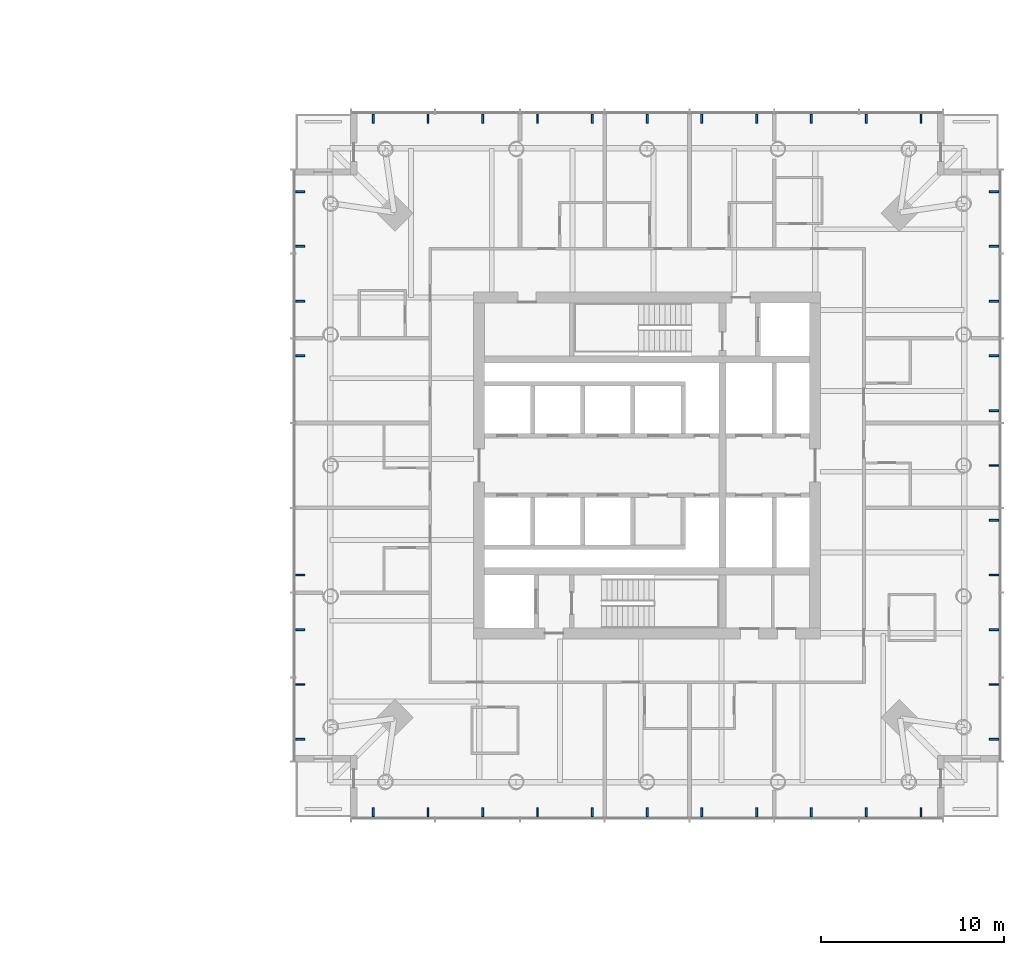
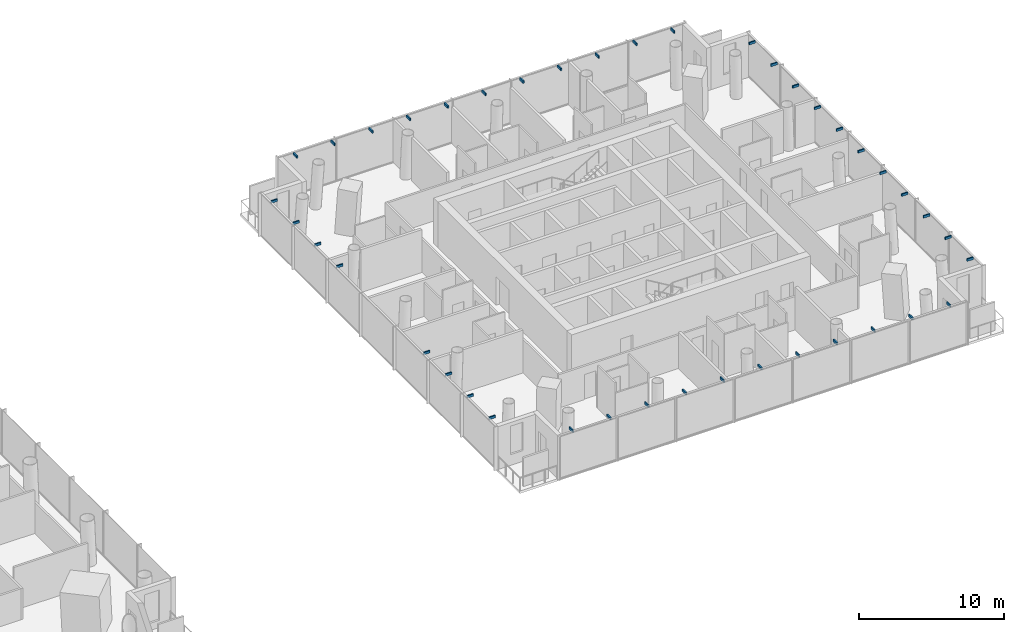
# One storey, part 19 of 21: 41 discrete accessories.
"""IFC4 building model written with IfcOpenShell, lengths in metres."""

from ifc_helpers import new_model, si_unit, direction, frame, origin, origin_2d, place, context, subcontext, project, spatial, rectangle, extrude, material, type_object, element, save


model = new_model("IFC4")

# Units and contexts
model_context = context("Model", 3, precision=1e-05, world=origin(), true_north=direction((0.0, 1.0)))
body_context = subcontext(model_context, "Body", "Model", "MODEL_VIEW")
ifc_project = project(units=[si_unit("LENGTHUNIT", "METRE"), si_unit("AREAUNIT", "SQUARE_METRE"), si_unit("VOLUMEUNIT", "CUBIC_METRE"), si_unit("PLANEANGLEUNIT", "RADIAN"), si_unit("MASSUNIT", "GRAM", prefix="KILO")], contexts=[model_context])

# Site, building, storey
site_placement = place(None, origin())
site = spatial("IfcSite", under=ifc_project, at=site_placement, CompositionType="ELEMENT")
building_placement = place(site_placement, origin())
building = spatial("IfcBuilding", under=site, at=building_placement, Name="Ostroluk Exchange", CompositionType="ELEMENT")
storey_placement = place(building_placement, frame((0.0, 0.0, 59.0)))
storey = spatial("IfcBuildingStorey", under=building, at=storey_placement, Name="L14", CompositionType="ELEMENT", Elevation=59.0)

# Discrete accessories
ifc_material = material(Name="Steel S355", Category="steel")
discrete_accessory_type = type_object("IfcDiscreteAccessoryType", Name="Maintenance roof bracket", PredefinedType="BRACKET", material=ifc_material)
for number, where, z_axis, x_axis, name in (
    (1, (102.0, 27.0, 3.4501953125), (0.0, 0.0, 1.0), (1.0, 0.0, 0.0), "Maintenance roof bracket L15 south 1"),
    (2, (105.0, 27.0, 3.4501953125), (0.0, 0.0, 1.0), (1.0, 0.0, 0.0), "Maintenance roof bracket L15 south 2"),
    (3, (108.0, 27.0, 3.4501953125), (0.0, 0.0, 1.0), (1.0, 0.0, 0.0), "Maintenance roof bracket L15 south 3"),
    (4, (111.0, 27.0, 3.4501953125), (0.0, 0.0, 1.0), (1.0, 0.0, 0.0), "Maintenance roof bracket L15 south 4"),
    (5, (114.0, 27.0, 3.4501953125), (0.0, 0.0, 1.0), (1.0, 0.0, 0.0), "Maintenance roof bracket L15 south 5"),
    (6, (117.0, 27.0, 3.4501953125), (0.0, 0.0, 1.0), (1.0, 0.0, 0.0), "Maintenance roof bracket L15 south 6"),
    (7, (120.0, 27.0, 3.4501953125), (0.0, 0.0, 1.0), (1.0, 0.0, 0.0), "Maintenance roof bracket L15 south 7"),
    (8, (123.0, 27.0, 3.4501953125), (0.0, 0.0, 1.0), (1.0, 0.0, 0.0), "Maintenance roof bracket L15 south 8"),
    (9, (126.0, 27.0, 3.4501953125), (0.0, 0.0, 1.0), (1.0, 0.0, 0.0), "Maintenance roof bracket L15 south 9"),
    (10, (129.0, 27.0, 3.4501953125), (0.0, 0.0, 1.0), (1.0, 0.0, 0.0), "Maintenance roof bracket L15 south 10"),
    (11, (132.0, 27.0, 3.4501953125), (0.0, 0.0, 1.0), (1.0, 0.0, 0.0), "Maintenance roof bracket L15 south 11"),
):
    element("IfcDiscreteAccessory", number, at=place(storey_placement, frame(where, z_axis=z_axis, x_axis=x_axis)), inside=storey, type_object=discrete_accessory_type, Name=name, PredefinedType="BRACKET", context=body_context, shape_type="SweptSolid", body=[
        extrude(rectangle(XDim=0.10009765625, YDim=0.5, at=origin_2d()), origin(), (0.0, 0.0, 1.0), 0.199951171875),
    ])
for number, where, z_axis, x_axis, name in (
    (12, (136.0, 31.0, 3.4501953125), (0.0, 0.0, 1.0), (1.0, 0.0, 0.0), "Maintenance roof bracket L15 east 1"),
    (13, (136.0, 34.0, 3.4501953125), (0.0, 0.0, 1.0), (1.0, 0.0, 0.0), "Maintenance roof bracket L15 east 2"),
    (14, (136.0, 37.0, 3.4501953125), (0.0, 0.0, 1.0), (1.0, 0.0, 0.0), "Maintenance roof bracket L15 east 3"),
    (15, (136.0, 40.0, 3.4501953125), (0.0, 0.0, 1.0), (1.0, 0.0, 0.0), "Maintenance roof bracket L15 east 4"),
    (16, (136.0, 43.0, 3.4501953125), (0.0, 0.0, 1.0), (1.0, 0.0, 0.0), "Maintenance roof bracket L15 east 5"),
    (17, (136.0, 46.0, 3.4501953125), (0.0, 0.0, 1.0), (1.0, 0.0, 0.0), "Maintenance roof bracket L15 east 6"),
    (18, (136.0, 49.0, 3.4501953125), (0.0, 0.0, 1.0), (1.0, 0.0, 0.0), "Maintenance roof bracket L15 east 7"),
    (19, (136.0, 52.0, 3.4501953125), (0.0, 0.0, 1.0), (1.0, 0.0, 0.0), "Maintenance roof bracket L15 east 8"),
    (20, (136.0, 55.0, 3.4501953125), (0.0, 0.0, 1.0), (1.0, 0.0, 0.0), "Maintenance roof bracket L15 east 9"),
    (21, (136.0, 58.0, 3.4501953125), (0.0, 0.0, 1.0), (1.0, 0.0, 0.0), "Maintenance roof bracket L15 east 10"),
    (22, (136.0, 61.0, 3.4501953125), (0.0, 0.0, 1.0), (1.0, 0.0, 0.0), "Maintenance roof bracket L15 east 11"),
):
    element("IfcDiscreteAccessory", number, at=place(storey_placement, frame(where, z_axis=z_axis, x_axis=x_axis)), inside=storey, type_object=discrete_accessory_type, Name=name, PredefinedType="BRACKET", context=body_context, shape_type="SweptSolid", body=[
        extrude(rectangle(XDim=0.5, YDim=0.10009765625, at=origin_2d()), origin(), (0.0, 0.0, 1.0), 0.199951171875),
    ])
for number, where, z_axis, x_axis, name in (
    (23, (102.0, 65.0, 3.4501953125), (0.0, 0.0, 1.0), (1.0, 0.0, 0.0), "Maintenance roof bracket L15 north 1"),
    (24, (105.0, 65.0, 3.4501953125), (0.0, 0.0, 1.0), (1.0, 0.0, 0.0), "Maintenance roof bracket L15 north 2"),
    (25, (108.0, 65.0, 3.4501953125), (0.0, 0.0, 1.0), (1.0, 0.0, 0.0), "Maintenance roof bracket L15 north 3"),
    (26, (111.0, 65.0, 3.4501953125), (0.0, 0.0, 1.0), (1.0, 0.0, 0.0), "Maintenance roof bracket L15 north 4"),
    (27, (114.0, 65.0, 3.4501953125), (0.0, 0.0, 1.0), (1.0, 0.0, 0.0), "Maintenance roof bracket L15 north 5"),
    (28, (117.0, 65.0, 3.4501953125), (0.0, 0.0, 1.0), (1.0, 0.0, 0.0), "Maintenance roof bracket L15 north 6"),
    (29, (120.0, 65.0, 3.4501953125), (0.0, 0.0, 1.0), (1.0, 0.0, 0.0), "Maintenance roof bracket L15 north 7"),
    (30, (123.0, 65.0, 3.4501953125), (0.0, 0.0, 1.0), (1.0, 0.0, 0.0), "Maintenance roof bracket L15 north 8"),
    (31, (126.0, 65.0, 3.4501953125), (0.0, 0.0, 1.0), (1.0, 0.0, 0.0), "Maintenance roof bracket L15 north 9"),
    (32, (129.0, 65.0, 3.4501953125), (0.0, 0.0, 1.0), (1.0, 0.0, 0.0), "Maintenance roof bracket L15 north 10"),
    (33, (132.0, 65.0, 3.4501953125), (0.0, 0.0, 1.0), (1.0, 0.0, 0.0), "Maintenance roof bracket L15 north 11"),
):
    element("IfcDiscreteAccessory", number, at=place(storey_placement, frame(where, z_axis=z_axis, x_axis=x_axis)), inside=storey, type_object=discrete_accessory_type, Name=name, PredefinedType="BRACKET", context=body_context, shape_type="SweptSolid", body=[
        extrude(rectangle(XDim=0.10009765625, YDim=0.5, at=origin_2d()), origin(), (0.0, 0.0, 1.0), 0.199951171875),
    ])
for number, where, z_axis, x_axis, name in (
    (34, (98.0, 31.0, 3.4501953125), (0.0, 0.0, 1.0), (1.0, 0.0, 0.0), "Maintenance roof bracket L15 west 1"),
    (35, (98.0, 34.0, 3.4501953125), (0.0, 0.0, 1.0), (1.0, 0.0, 0.0), "Maintenance roof bracket L15 west 2"),
    (36, (98.0, 37.0, 3.4501953125), (0.0, 0.0, 1.0), (1.0, 0.0, 0.0), "Maintenance roof bracket L15 west 3"),
    (37, (98.0, 40.0, 3.4501953125), (0.0, 0.0, 1.0), (1.0, 0.0, 0.0), "Maintenance roof bracket L15 west 4"),
    (38, (98.0, 52.0, 3.4501953125), (0.0, 0.0, 1.0), (1.0, 0.0, 0.0), "Maintenance roof bracket L15 west 8"),
    (39, (98.0, 55.0, 3.4501953125), (0.0, 0.0, 1.0), (1.0, 0.0, 0.0), "Maintenance roof bracket L15 west 9"),
    (40, (98.0, 58.0, 3.4501953125), (0.0, 0.0, 1.0), (1.0, 0.0, 0.0), "Maintenance roof bracket L15 west 10"),
    (41, (98.0, 61.0, 3.4501953125), (0.0, 0.0, 1.0), (1.0, 0.0, 0.0), "Maintenance roof bracket L15 west 11"),
):
    element("IfcDiscreteAccessory", number, at=place(storey_placement, frame(where, z_axis=z_axis, x_axis=x_axis)), inside=storey, type_object=discrete_accessory_type, Name=name, PredefinedType="BRACKET", context=body_context, shape_type="SweptSolid", body=[
        extrude(rectangle(XDim=0.5, YDim=0.10009765625, at=origin_2d()), origin(), (0.0, 0.0, 1.0), 0.199951171875),
    ])

save(model, "model.ifc")
